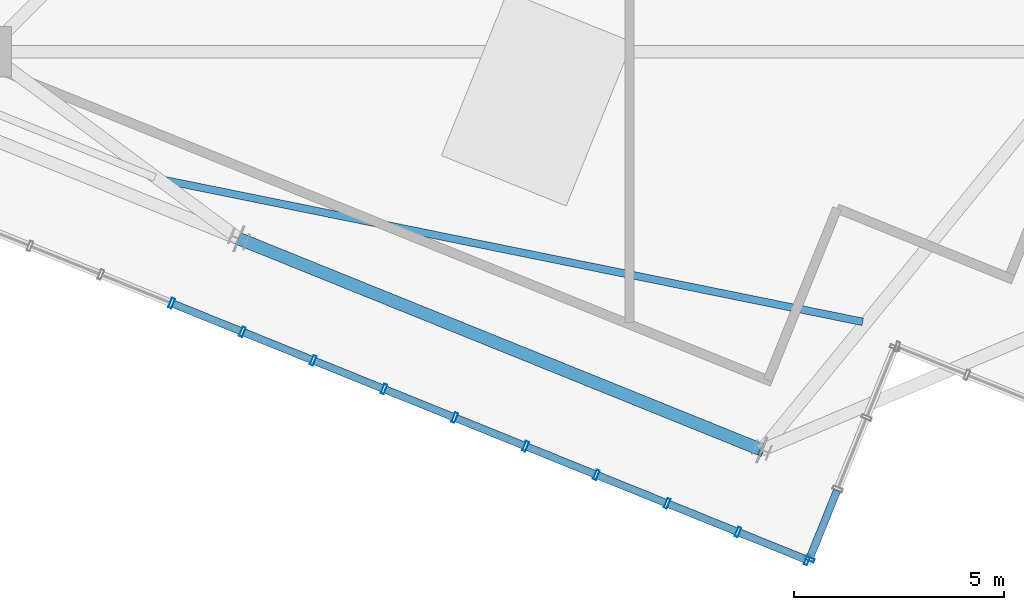
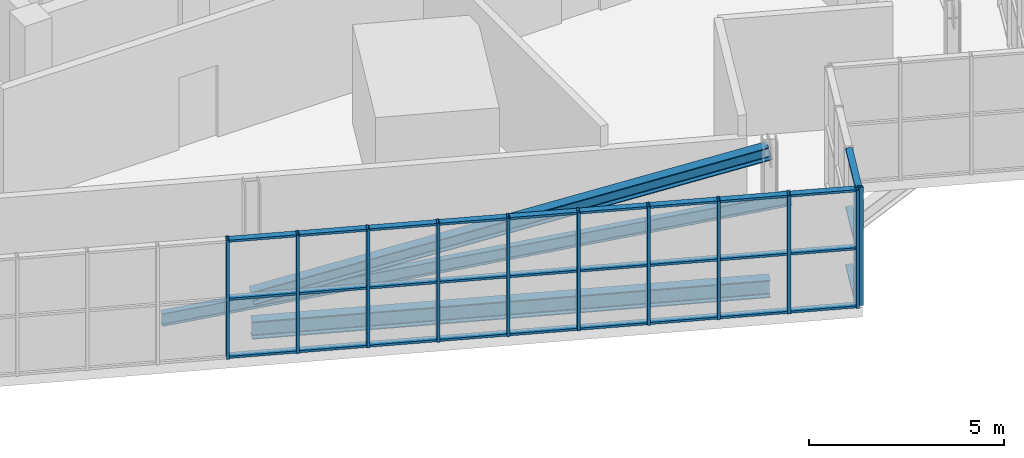
# One storey, part 4 of 26: 42 members, 2 beams, 2 elements without a shape of their own.
"""IFC4 building model written with IfcOpenShell, lengths in metres."""

import ifcopenshell
import ifcopenshell.guid

model = None  # the IFC model being written
_history = None  # IfcOwnerHistory: only IFC2X3 demands one
_inside = {}  # id of a spatial element -> (the spatial element, [elements in it])
_under = {}  # id of a project, library or spatial element -> (it, [spatial elements below it])
_declared = {}  # id of a project -> (the project, [libraries it declares])
_typed = {}  # id of a type object -> (the type object, [elements of that type])
_made_of = {}  # id of a material, layer set ... -> (it, [elements and type objects made of it])


def new_model(schema):
    """Start an empty IFC model of exactly this schema.

    Asked for "IFC4X3", IfcOpenShell would pick the latest addendum, in which some entities
    have other attributes; the version numbers below select the first issue.
    IFC2X3 requires an IfcOwnerHistory on every rooted entity: one is made here for all.
    """
    global model, _history
    if schema == "IFC4X3":
        model = ifcopenshell.file(schema_version=(4, 3, 0, 0))
    else:
        model = ifcopenshell.file(schema=schema)
    _inside.clear()
    _under.clear()
    _declared.clear()
    _typed.clear()
    _made_of.clear()
    _history = None
    if model.schema == "IFC2X3":
        org = make("IfcOrganization", Name="unknown")
        user = make(
            "IfcPersonAndOrganization",
            ThePerson=make("IfcPerson", FamilyName="unknown"),
            TheOrganization=org,
        )
        app = make(
            "IfcApplication",
            ApplicationDeveloper=org,
            Version="unknown",
            ApplicationFullName="unknown",
            ApplicationIdentifier="unknown",
        )
        _history = make(
            "IfcOwnerHistory",
            OwningUser=user,
            OwningApplication=app,
            ChangeAction="ADDED",
            CreationDate=0,
        )
    return model


def make(cls, **values):
    """One entity of the class cls with the attributes given. An attribute that is None is left unset."""
    return model.create_entity(
        cls, **{name: value for name, value in values.items() if value is not None}
    )


def rooted(cls, **values):
    """An entity with a GlobalId (a new one), such as an element, a storey or a relation."""
    return make(cls, GlobalId=ifcopenshell.guid.new(), OwnerHistory=_history, **values)


def si_unit(unit_type, name, prefix=None):
    """IfcSIUnit, for example si_unit("LENGTHUNIT", "METRE", prefix="MILLI")."""
    return make("IfcSIUnit", UnitType=unit_type, Prefix=prefix, Name=name)


def assignment(units):
    """IfcUnitAssignment: the units of a project."""
    return None if units is None else make("IfcUnitAssignment", Units=units)


def point(xyz):
    """IfcCartesianPoint."""
    return None if xyz is None else make("IfcCartesianPoint", Coordinates=xyz)


def direction(xyz):
    """IfcDirection."""
    return None if xyz is None else make("IfcDirection", DirectionRatios=xyz)


def frame(location, z_axis=None, x_axis=None):
    """IfcAxis2Placement3D, a coordinate frame: its origin and axes. An axis left out is left unset."""
    return make(
        "IfcAxis2Placement3D",
        Location=point(location),
        Axis=direction(z_axis),
        RefDirection=direction(x_axis),
    )


def frame_2d(location, x_axis=None):
    """IfcAxis2Placement2D, a coordinate frame in the plane: its origin and x axis."""
    return make(
        "IfcAxis2Placement2D", Location=point(location), RefDirection=direction(x_axis)
    )


def origin():
    """The frame at (0, 0, 0) with its axes left unset."""
    return frame((0.0, 0.0, 0.0))


def origin_2d():
    """The frame at (0, 0) in the plane with its x axis left unset."""
    return frame_2d((0.0, 0.0))


def place(relative_to, where):
    """IfcLocalPlacement: puts the frame where relative to a parent placement (None: the world)."""
    return make(
        "IfcLocalPlacement", PlacementRelTo=relative_to, RelativePlacement=where
    )


def context(
    kind, dimensions, precision=None, world=None, true_north=None, identifier=None
):
    """IfcGeometricRepresentationContext, for example the 3D "Model" context."""
    return make(
        "IfcGeometricRepresentationContext",
        ContextIdentifier=identifier,
        ContextType=kind,
        CoordinateSpaceDimension=dimensions,
        Precision=precision,
        WorldCoordinateSystem=world,
        TrueNorth=true_north,
    )


def subcontext(parent, identifier, kind, view, scale=None):
    """IfcGeometricRepresentationSubContext, for example "Body" below "Model"."""
    return make(
        "IfcGeometricRepresentationSubContext",
        ContextIdentifier=identifier,
        ContextType=kind,
        ParentContext=parent,
        TargetScale=scale,
        TargetView=view,
    )


def project(units=None, contexts=None):
    """IfcProject with its units and contexts."""
    return rooted(
        "IfcProject",
        Name="project",
        RepresentationContexts=contexts,
        UnitsInContext=assignment(units),
    )


def spatial(cls, under=None, at=None, **own):
    """A site, building, storey or space (cls), placed at a placement, below another one or the project."""
    s = rooted(cls, ObjectPlacement=at, **own)
    if under is not None:
        _under.setdefault(under.id(), (under, []))[1].append(s)
    return s


def profile(cls, at=None, kind="AREA", **sizes):
    """A parametric profile (cls). Its sizes go by their IFC names, for example OverallWidth=200.0."""
    return make(cls, ProfileType=kind, Position=at, **sizes)


def hollow_rectangle(**sizes):
    """IfcRectangleHollowProfileDef."""
    return profile("IfcRectangleHollowProfileDef", **sizes)


def i_section(**sizes):
    """IfcIShapeProfileDef."""
    return profile("IfcIShapeProfileDef", **sizes)


def extrude(swept, where, along, depth):
    """IfcExtrudedAreaSolid: the profile swept, set in the frame where, extruded along a direction by depth."""
    return make(
        "IfcExtrudedAreaSolid",
        SweptArea=swept,
        Position=where,
        ExtrudedDirection=direction(along),
        Depth=depth,
    )


def shape(context_of_items, identifier, shape_type, items):
    """IfcShapeRepresentation: the items that make up one representation, for example the "Body"."""
    return make(
        "IfcShapeRepresentation",
        ContextOfItems=context_of_items,
        RepresentationIdentifier=identifier,
        RepresentationType=shape_type,
        Items=items,
    )


def source(mapping_origin, context_of_items, identifier, shape_type, items):
    """IfcRepresentationMap: a shape defined once, which mapped items show again and again."""
    return make(
        "IfcRepresentationMap",
        MappingOrigin=mapping_origin,
        MappedRepresentation=shape(context_of_items, identifier, shape_type, items),
    )


def transform(
    local_origin,
    x_axis=None,
    y_axis=None,
    z_axis=None,
    scale=None,
    scale2=None,
    scale3=None,
    uniform=True,
):
    """IfcCartesianTransformationOperator3D, or its non-uniform kind. x_axis, y_axis, z_axis: its Axis1, 2, 3."""
    if uniform:
        return make(
            "IfcCartesianTransformationOperator3D",
            Axis1=direction(x_axis),
            Axis2=direction(y_axis),
            LocalOrigin=point(local_origin),
            Scale=scale,
            Axis3=direction(z_axis),
        )
    return make(
        "IfcCartesianTransformationOperator3DnonUniform",
        Axis1=direction(x_axis),
        Axis2=direction(y_axis),
        LocalOrigin=point(local_origin),
        Scale=scale,
        Axis3=direction(z_axis),
        Scale2=scale2,
        Scale3=scale3,
    )


def mapped(mapping_source, mapping_target):
    """IfcMappedItem: shows the shape of a source again, moved by a transform."""
    return make(
        "IfcMappedItem", MappingSource=mapping_source, MappingTarget=mapping_target
    )


def material(Name=None, Category=None):
    """IfcMaterial."""
    return make("IfcMaterial", Name=Name, Category=Category)


def layer(
    of_material, thickness, ventilated=None, Name=None, Category=None, Priority=None
):
    """IfcMaterialLayer: one layer of a wall or slab, of a material (None: an air gap)."""
    return make(
        "IfcMaterialLayer",
        Material=of_material,
        LayerThickness=thickness,
        IsVentilated=ventilated,
        Name=Name,
        Category=Category,
        Priority=Priority,
    )


def layer_set(layers, Name=None):
    """IfcMaterialLayerSet."""
    return make("IfcMaterialLayerSet", MaterialLayers=layers, LayerSetName=Name)


def material_profile(
    of_material, cross_section, Name=None, Category=None, Priority=None
):
    """IfcMaterialProfile: a cross section and its material."""
    return make(
        "IfcMaterialProfile",
        Name=Name,
        Material=of_material,
        Profile=cross_section,
        Priority=Priority,
        Category=Category,
    )


def profile_set(profiles, Name=None, composite=None):
    """IfcMaterialProfileSet."""
    return make(
        "IfcMaterialProfileSet",
        Name=Name,
        MaterialProfiles=profiles,
        CompositeProfile=composite,
    )


def made_of(thing, what):
    """Note that an element or type object is made of a material, layer set ...; save() writes the relation."""
    if what is not None:
        _made_of.setdefault(what.id(), (what, []))[1].append(thing)
    return thing


def type_object(cls, material=None, **own):
    """A type object (cls), such as IfcWallType, which elements share."""
    return made_of(rooted(cls, **own), material)


def element(
    cls,
    number,
    at=None,
    inside=None,
    cuts=None,
    type_object=None,
    material=None,
    context=None,
    identifier="Body",
    shape_type=None,
    held_by="IfcProductDefinitionShape",
    body=None,
    shapes=None,
    **own,
):
    """One element of the class cls, such as IfcWall. Its Tag is "e" and its number.

    at: its placement. inside: the storey or other place that contains it. cuts: it is an
    opening in that element (IfcRelVoidsElement). A single representation is given by context,
    identifier, shape_type and body (its items); several are given by shapes. held_by: the class
    of the entity that holds the representations. save() writes the other relations.
    """
    e = rooted(cls, Tag="e%d" % number, ObjectPlacement=at, **own)
    if body is not None:
        shapes = [shape(context, identifier, shape_type, body)]
    if shapes is not None:
        e.Representation = make(held_by, Representations=shapes)
    if inside is not None:
        _inside.setdefault(inside.id(), (inside, []))[1].append(e)
    if cuts is not None:
        rooted(
            "IfcRelVoidsElement", RelatingBuildingElement=cuts, RelatedOpeningElement=e
        )
    if type_object is not None:
        _typed.setdefault(type_object.id(), (type_object, []))[1].append(e)
    return made_of(e, material)


def aggregate(whole, parts):
    """IfcRelAggregates: a whole, such as a stair, and the parts it consists of."""
    return rooted("IfcRelAggregates", RelatingObject=whole, RelatedObjects=parts)


def save(model, path):
    """Write the relations noted so far, then the file.

    IfcRelAggregates (storeys below a building ...), IfcRelContainedInSpatialStructure (elements
    in a storey), IfcRelDefinesByType, IfcRelAssociatesMaterial and IfcRelDeclares: one each for
    every whole, place, type object, material and project.
    """
    for whole, parts in _under.values():
        aggregate(whole, parts)
    for where, things in _inside.values():
        rooted(
            "IfcRelContainedInSpatialStructure",
            RelatedElements=things,
            RelatingStructure=where,
        )
    for kind, things in _typed.values():
        rooted("IfcRelDefinesByType", RelatedObjects=things, RelatingType=kind)
    for what, things in _made_of.values():
        rooted("IfcRelAssociatesMaterial", RelatedObjects=things, RelatingMaterial=what)
    for by, libraries in _declared.values():
        rooted("IfcRelDeclares", RelatingContext=by, RelatedDefinitions=libraries)
    model.write(path)


model = new_model("IFC4")

# Units and contexts
model_context = context("Model", 3, precision=1e-05, world=origin(), true_north=direction((0.0, 1.0)))
body_context = subcontext(model_context, "Body", "Model", "MODEL_VIEW")
ifc_project = project(units=[si_unit("LENGTHUNIT", "METRE"), si_unit("AREAUNIT", "SQUARE_METRE"), si_unit("VOLUMEUNIT", "CUBIC_METRE"), si_unit("PLANEANGLEUNIT", "RADIAN"), si_unit("MASSUNIT", "GRAM", prefix="KILO"), si_unit("THERMODYNAMICTEMPERATUREUNIT", "KELVIN")], contexts=[model_context])

# Site, building, storey
site_placement = place(None, origin())
site = spatial("IfcSite", under=ifc_project, at=site_placement, CompositionType="ELEMENT")
building_placement = place(site_placement, origin())
building = spatial("IfcBuilding", under=site, at=building_placement, Name="Kosmvard Interchange Tower", CompositionType="ELEMENT")
storey_placement = place(building_placement, frame((0.0, 0.0, 333.60009765625)))
storey = spatial("IfcBuildingStorey", under=building, at=storey_placement, Name="L82", CompositionType="ELEMENT", Elevation=333.60009765625)

# Member
ifc_material_1 = material(Name="Steel S355", Category="steel")
ifc_material_profile_1 = material_profile(ifc_material_1, i_section(OverallWidth=0.300048828125, OverallDepth=0.39990234375, WebThickness=0.013427734375, FlangeThickness=0.02392578125, FilletRadius=0.027099609375, at=origin_2d()), Name="HEB 400")
ifc_profile_set_1 = profile_set([ifc_material_profile_1], Name="Steel S355")
member_type_1 = type_object("IfcMemberType", Name="Lantern Crown Diagrid Brace HEB 400 S355", PredefinedType="BRACE", material=ifc_profile_set_1)
shared_shape_1 = source(origin(), body_context, "Body", "SweptSolid", [
    extrude(i_section(OverallWidth=0.300048828125, OverallDepth=0.39990234375, WebThickness=0.013427734375, FlangeThickness=0.02392578125, FilletRadius=0.027099609375, at=origin_2d()), origin(), (0.0, 0.0, 1.0), 13.783935546875),
])
member_1_placement = place(storey_placement, frame((-7.080078125, -17.523681640625, 0.419921875), z_axis=(0.901367558742, -0.364177999122, 0.234330768366), x_axis=(0.374608243744, 0.927183187789, 0.0)))
element("IfcMember", 1, at=member_1_placement, inside=storey, type_object=member_type_1, Name="L82 Crown Lantern Diagrid Brace W2", PredefinedType="BRACE", context=body_context, shape_type="MappedRepresentation", body=[
    mapped(shared_shape_1, transform((0.0, 0.0, 0.0), scale=1.0)),
])

# Beams
ifc_material_profile_2 = material_profile(ifc_material_1, i_section(OverallWidth=0.300048828125, OverallDepth=0.550048828125, WebThickness=0.014892578125, FlangeThickness=0.029052734375, FilletRadius=0.027099609375, at=origin_2d()), Name="HEB 550")
ifc_profile_set_2 = profile_set([ifc_material_profile_2], Name="Steel S355")
beam_type_1 = type_object("IfcBeamType", Name="Crown Ring Cap Girder HEB 550 S355", PredefinedType="BEAM", material=ifc_profile_set_2)
shared_shape_2 = source(origin(), body_context, "Body", "SweptSolid", [
    extrude(i_section(OverallWidth=0.300048828125, OverallDepth=0.550048828125, WebThickness=0.014892578125, FlangeThickness=0.029052734375, FilletRadius=0.027099609375, at=origin_2d()), origin(), (0.0, 0.0, 1.0), 13.400146484375),
])
beam_1_placement = place(storey_placement, frame((-7.080078125, -17.523681640625, -0.5751953125), z_axis=(0.927183187789, -0.374608243744, 0.0), x_axis=(0.374608243744, 0.927183187789, 0.0)))
element("IfcBeam", 2, at=beam_1_placement, inside=storey, type_object=beam_type_1, Name="BM-L82-PR11", PredefinedType="BEAM", context=body_context, shape_type="MappedRepresentation", body=[
    mapped(shared_shape_2, transform((0.0, 0.0, 0.0), scale=1.0)),
])
ifc_material_profile_3 = material_profile(ifc_material_1, i_section(OverallWidth=0.179931640625, OverallDepth=0.39990234375, WebThickness=0.008544921875, FlangeThickness=0.013427734375, FilletRadius=0.02099609375, at=origin_2d()), Name="IPE 400")
ifc_profile_set_3 = profile_set([ifc_material_profile_3], Name="Steel S355")
beam_type_2 = type_object("IfcBeamType", Name="Upper-Zone Floor Joist IPE 400 S355", PredefinedType="JOIST", material=ifc_profile_set_3)
shared_shape_3 = source(origin(), body_context, "Body", "SweptSolid", [
    extrude(i_section(OverallWidth=0.179931640625, OverallDepth=0.39990234375, WebThickness=0.008544921875, FlangeThickness=0.013427734375, FilletRadius=0.02099609375, at=origin_2d()), origin(), (0.0, 0.0, 1.0), 17.0029296875),
])
beam_2_placement = place(storey_placement, frame((-8.921875, -16.117919921875, -0.5), z_axis=(0.98002341059, -0.198882162837, 0.0), x_axis=(0.198882162837, 0.98002341059, 0.0)))
element("IfcBeam", 3, at=beam_2_placement, inside=storey, type_object=beam_type_2, Name="BM-L82-FJ08", PredefinedType="JOIST", context=body_context, shape_type="MappedRepresentation", body=[
    mapped(shared_shape_3, transform((0.0, 0.0, 0.0), scale=1.0)),
])

# Curtain wall, members
ifc_material_2 = material(Name="Architectural anodised aluminium", Category="aluminium")
ifc_layer = layer(ifc_material_2, 0.25, Name="Architectural anodised aluminium")
ifc_layer_set = layer_set([ifc_layer], Name="Architectural anodised aluminium")
curtain_wall_type = type_object("IfcCurtainWallType", Name="CW-6 Illuminated Crown Lantern Curtain Wall", PredefinedType="NOTDEFINED", material=ifc_layer_set)
curtain_wall_1_placement = place(storey_placement, origin())
curtain_wall_1 = element("IfcCurtainWall", 4, at=curtain_wall_1_placement, inside=storey, type_object=curtain_wall_type, Name="L82 Crown Lantern Glazing Face 10", PredefinedType="NOTDEFINED")
ifc_material_profile_4 = material_profile(ifc_material_2, hollow_rectangle(XDim=0.239990234375, YDim=0.080078125, WallThickness=0.006103515625, at=origin_2d()), Name="CWM 240x80x6")
ifc_profile_set_4 = profile_set([ifc_material_profile_4], Name="Architectural anodised aluminium")
member_type_2 = type_object("IfcMemberType", Name="Lantern & Observation CW Mullion 240x80 Aluminium", PredefinedType="MULLION", material=ifc_profile_set_4)
shared_shape_4 = source(origin(), body_context, "Body", "SweptSolid", [
    extrude(hollow_rectangle(XDim=0.239990234375, YDim=0.080078125, WallThickness=0.006103515625, at=origin_2d()), origin(), (0.0, 0.0, 1.0), 3.699951171875),
])
member_2_placement = place(storey_placement, frame((-8.677734375, -19.056884765625, 0.0), z_axis=(0.0, 0.0, 1.0), x_axis=(0.374606584758, 0.927183858065, 0.0)))
member_2 = element("IfcMember", 5, at=member_2_placement, type_object=member_type_2, Name="CW-6 mullion 9", PredefinedType="MULLION", context=body_context, shape_type="MappedRepresentation", body=[
    mapped(shared_shape_4, transform((0.0, 0.0, 0.0), scale=1.0)),
])
member_3_placement = place(storey_placement, frame((-6.995849609375, -19.736572265625, 0.0), z_axis=(0.0, 0.0, 1.0), x_axis=(0.374606584758, 0.927183858065, 0.0)))
member_3 = element("IfcMember", 6, at=member_3_placement, type_object=member_type_2, Name="CW-6 mullion 10", PredefinedType="MULLION", context=body_context, shape_type="MappedRepresentation", body=[
    mapped(shared_shape_4, transform((0.0, 0.0, 0.0), scale=1.0)),
])
member_4_placement = place(storey_placement, frame((-5.313720703125, -20.416015625, 0.0), z_axis=(0.0, 0.0, 1.0), x_axis=(0.374606584758, 0.927183858065, 0.0)))
member_4 = element("IfcMember", 7, at=member_4_placement, type_object=member_type_2, Name="CW-6 mullion 11", PredefinedType="MULLION", context=body_context, shape_type="MappedRepresentation", body=[
    mapped(shared_shape_4, transform((0.0, 0.0, 0.0), scale=1.0)),
])
member_5_placement = place(storey_placement, frame((-3.6318359375, -21.095703125, 0.0), z_axis=(0.0, 0.0, 1.0), x_axis=(0.374606584758, 0.927183858065, 0.0)))
member_5 = element("IfcMember", 8, at=member_5_placement, type_object=member_type_2, Name="CW-6 mullion 12", PredefinedType="MULLION", context=body_context, shape_type="MappedRepresentation", body=[
    mapped(shared_shape_4, transform((0.0, 0.0, 0.0), scale=1.0)),
])
member_6_placement = place(storey_placement, frame((-1.94970703125, -21.775146484375, 0.0), z_axis=(0.0, 0.0, 1.0), x_axis=(0.374606584758, 0.927183858065, 0.0)))
member_6 = element("IfcMember", 9, at=member_6_placement, type_object=member_type_2, Name="CW-6 mullion 13", PredefinedType="MULLION", context=body_context, shape_type="MappedRepresentation", body=[
    mapped(shared_shape_4, transform((0.0, 0.0, 0.0), scale=1.0)),
])
member_7_placement = place(storey_placement, frame((-0.267578125, -22.454833984375, 0.0), z_axis=(0.0, 0.0, 1.0), x_axis=(0.374606584758, 0.927183858065, 0.0)))
member_7 = element("IfcMember", 10, at=member_7_placement, type_object=member_type_2, Name="CW-6 mullion 14", PredefinedType="MULLION", context=body_context, shape_type="MappedRepresentation", body=[
    mapped(shared_shape_4, transform((0.0, 0.0, 0.0), scale=1.0)),
])
member_8_placement = place(storey_placement, frame((1.414306640625, -23.13427734375, 0.0), z_axis=(0.0, 0.0, 1.0), x_axis=(0.374606584758, 0.927183858065, 0.0)))
member_8 = element("IfcMember", 11, at=member_8_placement, type_object=member_type_2, Name="CW-6 mullion 15", PredefinedType="MULLION", context=body_context, shape_type="MappedRepresentation", body=[
    mapped(shared_shape_4, transform((0.0, 0.0, 0.0), scale=1.0)),
])
member_9_placement = place(storey_placement, frame((3.096435546875, -23.81396484375, 0.0), z_axis=(0.0, 0.0, 1.0), x_axis=(0.374606584758, 0.927183858065, 0.0)))
member_9 = element("IfcMember", 12, at=member_9_placement, type_object=member_type_2, Name="CW-6 mullion 16", PredefinedType="MULLION", context=body_context, shape_type="MappedRepresentation", body=[
    mapped(shared_shape_4, transform((0.0, 0.0, 0.0), scale=1.0)),
])
member_10_placement = place(storey_placement, frame((4.7783203125, -24.49365234375, 0.0), z_axis=(0.0, 0.0, 1.0), x_axis=(0.374606584758, 0.927183858065, 0.0)))
member_10 = element("IfcMember", 13, at=member_10_placement, type_object=member_type_2, Name="CW-6 mullion 17", PredefinedType="MULLION", context=body_context, shape_type="MappedRepresentation", body=[
    mapped(shared_shape_4, transform((0.0, 0.0, 0.0), scale=1.0)),
])
member_11_placement = place(storey_placement, frame((6.42333984375, -25.158203125, 0.0), z_axis=(0.0, 0.0, 1.0), x_axis=(0.374606584758, 0.927183858065, 0.0)))
member_11 = element("IfcMember", 14, at=member_11_placement, type_object=member_type_2, Name="CW-6 mullion 18", PredefinedType="MULLION", context=body_context, shape_type="MappedRepresentation", body=[
    mapped(shared_shape_4, transform((0.0, 0.0, 0.0), scale=1.0)),
])

# Curtain wall, member
curtain_wall_2_placement = place(storey_placement, origin())
curtain_wall_2 = element("IfcCurtainWall", 15, at=curtain_wall_2_placement, inside=storey, type_object=curtain_wall_type, Name="L82 Crown Lantern Glazing Face 11", PredefinedType="NOTDEFINED")
member_12_placement = place(storey_placement, frame((6.475341796875, -25.135986328125, 0.0), z_axis=(0.0, 0.0, 1.0), x_axis=(-0.92718386612, 0.374606564822, 0.0)))
member_12 = element("IfcMember", 16, at=member_12_placement, type_object=member_type_2, Name="CW-6 mullion 1", PredefinedType="MULLION", context=body_context, shape_type="MappedRepresentation", body=[
    mapped(shared_shape_4, transform((0.0, 0.0, 0.0), scale=1.0)),
])

# Member
ifc_material_profile_5 = material_profile(ifc_material_2, hollow_rectangle(XDim=0.179931640625, YDim=0.070068359375, WallThickness=0.0048828125, at=origin_2d()), Name="CWT 180x70x5")
ifc_profile_set_5 = profile_set([ifc_material_profile_5], Name="Architectural anodised aluminium")
member_type_3 = type_object("IfcMemberType", Name="Heavy Lantern CW Transom 180x70 Aluminium", PredefinedType="USERDEFINED", material=ifc_profile_set_5)
shared_shape_5 = source(origin(), body_context, "Body", "SweptSolid", [
    extrude(hollow_rectangle(XDim=0.179931640625, YDim=0.070068359375, WallThickness=0.0048828125, at=origin_2d()), origin(), (0.0, 0.0, 1.0), 1.694091796875),
])
member_13_placement = place(storey_placement, frame((4.8154296875, -24.508544921875, 0.034912109375), z_axis=(0.927209116514, -0.374544061831, 0.0), x_axis=(0.374544061831, 0.927209116514, 0.0)))
member_13 = element("IfcMember", 17, at=member_13_placement, type_object=member_type_3, Name="CW-6 transom 17.1", ObjectType="TRANSOM", PredefinedType="USERDEFINED", context=body_context, shape_type="MappedRepresentation", body=[
    mapped(shared_shape_5, transform((0.0, 0.0, 0.0), scale=1.0)),
])

member_14_placement = place(storey_placement, frame((4.8154296875, -24.508544921875, 1.849853515625), z_axis=(0.927209116514, -0.374544061831, 0.0), x_axis=(0.374544061831, 0.927209116514, 0.0)))
member_14 = element("IfcMember", 18, at=member_14_placement, type_object=member_type_3, Name="CW-6 transom 17.2", ObjectType="TRANSOM", PredefinedType="USERDEFINED", context=body_context, shape_type="MappedRepresentation", body=[
    mapped(shared_shape_5, transform((0.0, 0.0, 0.0), scale=1.0)),
])

member_15_placement = place(storey_placement, frame((4.8154296875, -24.508544921875, 3.664794921875), z_axis=(0.927209116514, -0.374544061831, 0.0), x_axis=(0.374544061831, 0.927209116514, 0.0)))
member_15 = element("IfcMember", 19, at=member_15_placement, type_object=member_type_3, Name="CW-6 transom 17.3", ObjectType="TRANSOM", PredefinedType="USERDEFINED", context=body_context, shape_type="MappedRepresentation", body=[
    mapped(shared_shape_5, transform((0.0, 0.0, 0.0), scale=1.0)),
])

shared_shape_6 = source(origin(), body_context, "Body", "SweptSolid", [
    extrude(hollow_rectangle(XDim=0.179931640625, YDim=0.070068359375, WallThickness=0.0048828125, at=origin_2d()), origin(), (0.0, 0.0, 1.0), 1.734130859375),
])
member_16_placement = place(storey_placement, frame((-6.958740234375, -19.75146484375, 0.034912109375), z_axis=(0.927179782522, -0.374616671924, 0.0), x_axis=(0.374616671924, 0.927179782522, 0.0)))
member_16 = element("IfcMember", 20, at=member_16_placement, type_object=member_type_3, Name="CW-6 transom 10.1", ObjectType="TRANSOM", PredefinedType="USERDEFINED", context=body_context, shape_type="MappedRepresentation", body=[
    mapped(shared_shape_6, transform((0.0, 0.0, 0.0), scale=1.0)),
])

member_17_placement = place(storey_placement, frame((-6.958740234375, -19.75146484375, 1.849853515625), z_axis=(0.927179782522, -0.374616671924, 0.0), x_axis=(0.374616671924, 0.927179782522, 0.0)))
member_17 = element("IfcMember", 21, at=member_17_placement, type_object=member_type_3, Name="CW-6 transom 10.2", ObjectType="TRANSOM", PredefinedType="USERDEFINED", context=body_context, shape_type="MappedRepresentation", body=[
    mapped(shared_shape_6, transform((0.0, 0.0, 0.0), scale=1.0)),
])

member_18_placement = place(storey_placement, frame((-6.958740234375, -19.75146484375, 3.664794921875), z_axis=(0.927179782522, -0.374616671924, 0.0), x_axis=(0.374616671924, 0.927179782522, 0.0)))
member_18 = element("IfcMember", 22, at=member_18_placement, type_object=member_type_3, Name="CW-6 transom 10.3", ObjectType="TRANSOM", PredefinedType="USERDEFINED", context=body_context, shape_type="MappedRepresentation", body=[
    mapped(shared_shape_6, transform((0.0, 0.0, 0.0), scale=1.0)),
])

member_19_placement = place(storey_placement, frame((-5.276611328125, -20.43115234375, 0.034912109375), z_axis=(0.927228675447, -0.374495638732, 0.0), x_axis=(0.374495638732, 0.927228675447, 0.0)))
member_19 = element("IfcMember", 23, at=member_19_placement, type_object=member_type_3, Name="CW-6 transom 11.1", ObjectType="TRANSOM", PredefinedType="USERDEFINED", context=body_context, shape_type="MappedRepresentation", body=[
    mapped(shared_shape_6, transform((0.0, 0.0, 0.0), scale=1.0)),
])

member_20_placement = place(storey_placement, frame((-5.276611328125, -20.43115234375, 1.849853515625), z_axis=(0.927228675447, -0.374495638732, 0.0), x_axis=(0.374495638732, 0.927228675447, 0.0)))
member_20 = element("IfcMember", 24, at=member_20_placement, type_object=member_type_3, Name="CW-6 transom 11.2", ObjectType="TRANSOM", PredefinedType="USERDEFINED", context=body_context, shape_type="MappedRepresentation", body=[
    mapped(shared_shape_6, transform((0.0, 0.0, 0.0), scale=1.0)),
])

member_21_placement = place(storey_placement, frame((-5.276611328125, -20.43115234375, 3.664794921875), z_axis=(0.927228675447, -0.374495638732, 0.0), x_axis=(0.374495638732, 0.927228675447, 0.0)))
member_21 = element("IfcMember", 25, at=member_21_placement, type_object=member_type_3, Name="CW-6 transom 11.3", ObjectType="TRANSOM", PredefinedType="USERDEFINED", context=body_context, shape_type="MappedRepresentation", body=[
    mapped(shared_shape_6, transform((0.0, 0.0, 0.0), scale=1.0)),
])

member_22_placement = place(storey_placement, frame((-3.5947265625, -21.110595703125, 0.034912109375), z_axis=(0.927179782522, -0.374616671924, 0.0), x_axis=(0.374616671924, 0.927179782522, 0.0)))
member_22 = element("IfcMember", 26, at=member_22_placement, type_object=member_type_3, Name="CW-6 transom 12.1", ObjectType="TRANSOM", PredefinedType="USERDEFINED", context=body_context, shape_type="MappedRepresentation", body=[
    mapped(shared_shape_6, transform((0.0, 0.0, 0.0), scale=1.0)),
])

member_23_placement = place(storey_placement, frame((-3.5947265625, -21.110595703125, 1.849853515625), z_axis=(0.927179782522, -0.374616671924, 0.0), x_axis=(0.374616671924, 0.927179782522, 0.0)))
member_23 = element("IfcMember", 27, at=member_23_placement, type_object=member_type_3, Name="CW-6 transom 12.2", ObjectType="TRANSOM", PredefinedType="USERDEFINED", context=body_context, shape_type="MappedRepresentation", body=[
    mapped(shared_shape_6, transform((0.0, 0.0, 0.0), scale=1.0)),
])

member_24_placement = place(storey_placement, frame((-3.5947265625, -21.110595703125, 3.664794921875), z_axis=(0.927179782522, -0.374616671924, 0.0), x_axis=(0.374616671924, 0.927179782522, 0.0)))
member_24 = element("IfcMember", 28, at=member_24_placement, type_object=member_type_3, Name="CW-6 transom 12.3", ObjectType="TRANSOM", PredefinedType="USERDEFINED", context=body_context, shape_type="MappedRepresentation", body=[
    mapped(shared_shape_6, transform((0.0, 0.0, 0.0), scale=1.0)),
])

member_25_placement = place(storey_placement, frame((-1.91259765625, -21.790283203125, 0.034912109375), z_axis=(0.927228675447, -0.374495638732, 0.0), x_axis=(0.374495638732, 0.927228675447, 0.0)))
member_25 = element("IfcMember", 29, at=member_25_placement, type_object=member_type_3, Name="CW-6 transom 13.1", ObjectType="TRANSOM", PredefinedType="USERDEFINED", context=body_context, shape_type="MappedRepresentation", body=[
    mapped(shared_shape_6, transform((0.0, 0.0, 0.0), scale=1.0)),
])

member_26_placement = place(storey_placement, frame((-1.91259765625, -21.790283203125, 1.849853515625), z_axis=(0.927228675447, -0.374495638732, 0.0), x_axis=(0.374495638732, 0.927228675447, 0.0)))
member_26 = element("IfcMember", 30, at=member_26_placement, type_object=member_type_3, Name="CW-6 transom 13.2", ObjectType="TRANSOM", PredefinedType="USERDEFINED", context=body_context, shape_type="MappedRepresentation", body=[
    mapped(shared_shape_6, transform((0.0, 0.0, 0.0), scale=1.0)),
])

member_27_placement = place(storey_placement, frame((-1.91259765625, -21.790283203125, 3.664794921875), z_axis=(0.927228675447, -0.374495638732, 0.0), x_axis=(0.374495638732, 0.927228675447, 0.0)))
member_27 = element("IfcMember", 31, at=member_27_placement, type_object=member_type_3, Name="CW-6 transom 13.3", ObjectType="TRANSOM", PredefinedType="USERDEFINED", context=body_context, shape_type="MappedRepresentation", body=[
    mapped(shared_shape_6, transform((0.0, 0.0, 0.0), scale=1.0)),
])

member_28_placement = place(storey_placement, frame((1.451416015625, -23.1494140625, 0.034912109375), z_axis=(0.927179782522, -0.374616671924, 0.0), x_axis=(0.374616671924, 0.927179782522, 0.0)))
member_28 = element("IfcMember", 32, at=member_28_placement, type_object=member_type_3, Name="CW-6 transom 15.1", ObjectType="TRANSOM", PredefinedType="USERDEFINED", context=body_context, shape_type="MappedRepresentation", body=[
    mapped(shared_shape_6, transform((0.0, 0.0, 0.0), scale=1.0)),
])

member_29_placement = place(storey_placement, frame((1.451416015625, -23.1494140625, 1.849853515625), z_axis=(0.927179782522, -0.374616671924, 0.0), x_axis=(0.374616671924, 0.927179782522, 0.0)))
member_29 = element("IfcMember", 33, at=member_29_placement, type_object=member_type_3, Name="CW-6 transom 15.2", ObjectType="TRANSOM", PredefinedType="USERDEFINED", context=body_context, shape_type="MappedRepresentation", body=[
    mapped(shared_shape_6, transform((0.0, 0.0, 0.0), scale=1.0)),
])

member_30_placement = place(storey_placement, frame((1.451416015625, -23.1494140625, 3.664794921875), z_axis=(0.927179782522, -0.374616671924, 0.0), x_axis=(0.374616671924, 0.927179782522, 0.0)))
member_30 = element("IfcMember", 34, at=member_30_placement, type_object=member_type_3, Name="CW-6 transom 15.3", ObjectType="TRANSOM", PredefinedType="USERDEFINED", context=body_context, shape_type="MappedRepresentation", body=[
    mapped(shared_shape_6, transform((0.0, 0.0, 0.0), scale=1.0)),
])

shared_shape_7 = source(origin(), body_context, "Body", "SweptSolid", [
    extrude(hollow_rectangle(XDim=0.179931640625, YDim=0.070068359375, WallThickness=0.0048828125, at=origin_2d()), origin(), (0.0, 0.0, 1.0), 1.73388671875),
])
member_31_placement = place(storey_placement, frame((-8.640625, -19.07177734375, 0.034912109375), z_axis=(0.927160021861, -0.374665576032, 0.0), x_axis=(0.374665576032, 0.927160021861, 0.0)))
member_31 = element("IfcMember", 35, at=member_31_placement, type_object=member_type_3, Name="CW-6 transom 9.1", ObjectType="TRANSOM", PredefinedType="USERDEFINED", context=body_context, shape_type="MappedRepresentation", body=[
    mapped(shared_shape_7, transform((0.0, 0.0, 0.0), scale=1.0)),
])

member_32_placement = place(storey_placement, frame((-8.640625, -19.07177734375, 1.849853515625), z_axis=(0.927160021861, -0.374665576032, 0.0), x_axis=(0.374665576032, 0.927160021861, 0.0)))
member_32 = element("IfcMember", 36, at=member_32_placement, type_object=member_type_3, Name="CW-6 transom 9.2", ObjectType="TRANSOM", PredefinedType="USERDEFINED", context=body_context, shape_type="MappedRepresentation", body=[
    mapped(shared_shape_7, transform((0.0, 0.0, 0.0), scale=1.0)),
])

member_33_placement = place(storey_placement, frame((-8.640625, -19.07177734375, 3.664794921875), z_axis=(0.927160021861, -0.374665576032, 0.0), x_axis=(0.374665576032, 0.927160021861, 0.0)))
member_33 = element("IfcMember", 37, at=member_33_placement, type_object=member_type_3, Name="CW-6 transom 9.3", ObjectType="TRANSOM", PredefinedType="USERDEFINED", context=body_context, shape_type="MappedRepresentation", body=[
    mapped(shared_shape_7, transform((0.0, 0.0, 0.0), scale=1.0)),
])

member_34_placement = place(storey_placement, frame((-0.23046875, -22.4697265625, 0.034912109375), z_axis=(0.927160021861, -0.374665576032, 0.0), x_axis=(0.374665576032, 0.927160021861, 0.0)))
member_34 = element("IfcMember", 38, at=member_34_placement, type_object=member_type_3, Name="CW-6 transom 14.1", ObjectType="TRANSOM", PredefinedType="USERDEFINED", context=body_context, shape_type="MappedRepresentation", body=[
    mapped(shared_shape_7, transform((0.0, 0.0, 0.0), scale=1.0)),
])

member_35_placement = place(storey_placement, frame((-0.23046875, -22.4697265625, 1.849853515625), z_axis=(0.927160021861, -0.374665576032, 0.0), x_axis=(0.374665576032, 0.927160021861, 0.0)))
member_35 = element("IfcMember", 39, at=member_35_placement, type_object=member_type_3, Name="CW-6 transom 14.2", ObjectType="TRANSOM", PredefinedType="USERDEFINED", context=body_context, shape_type="MappedRepresentation", body=[
    mapped(shared_shape_7, transform((0.0, 0.0, 0.0), scale=1.0)),
])

member_36_placement = place(storey_placement, frame((-0.23046875, -22.4697265625, 3.664794921875), z_axis=(0.927160021861, -0.374665576032, 0.0), x_axis=(0.374665576032, 0.927160021861, 0.0)))
member_36 = element("IfcMember", 40, at=member_36_placement, type_object=member_type_3, Name="CW-6 transom 14.3", ObjectType="TRANSOM", PredefinedType="USERDEFINED", context=body_context, shape_type="MappedRepresentation", body=[
    mapped(shared_shape_7, transform((0.0, 0.0, 0.0), scale=1.0)),
])

member_37_placement = place(storey_placement, frame((3.133544921875, -23.828857421875, 0.034912109375), z_axis=(0.927160021861, -0.374665576032, 0.0), x_axis=(0.374665576032, 0.927160021861, 0.0)))
member_37 = element("IfcMember", 41, at=member_37_placement, type_object=member_type_3, Name="CW-6 transom 16.1", ObjectType="TRANSOM", PredefinedType="USERDEFINED", context=body_context, shape_type="MappedRepresentation", body=[
    mapped(shared_shape_7, transform((0.0, 0.0, 0.0), scale=1.0)),
])

member_38_placement = place(storey_placement, frame((3.133544921875, -23.828857421875, 1.849853515625), z_axis=(0.927160021861, -0.374665576032, 0.0), x_axis=(0.374665576032, 0.927160021861, 0.0)))
member_38 = element("IfcMember", 42, at=member_38_placement, type_object=member_type_3, Name="CW-6 transom 16.2", ObjectType="TRANSOM", PredefinedType="USERDEFINED", context=body_context, shape_type="MappedRepresentation", body=[
    mapped(shared_shape_7, transform((0.0, 0.0, 0.0), scale=1.0)),
])

member_39_placement = place(storey_placement, frame((3.133544921875, -23.828857421875, 3.664794921875), z_axis=(0.927160021861, -0.374665576032, 0.0), x_axis=(0.374665576032, 0.927160021861, 0.0)))
member_39 = element("IfcMember", 43, at=member_39_placement, type_object=member_type_3, Name="CW-6 transom 16.3", ObjectType="TRANSOM", PredefinedType="USERDEFINED", context=body_context, shape_type="MappedRepresentation", body=[
    mapped(shared_shape_7, transform((0.0, 0.0, 0.0), scale=1.0)),
])

aggregate(curtain_wall_1, [member_2, member_3, member_4, member_5, member_6, member_7, member_8, member_9, member_10, member_11, member_31, member_32, member_33, member_16, member_17, member_18, member_19, member_20, member_21, member_22, member_23, member_24, member_25, member_26, member_27, member_34, member_35, member_36, member_28, member_29, member_30, member_37, member_38, member_39, member_13, member_14, member_15])

shared_shape_8 = source(origin(), body_context, "Body", "SweptSolid", [
    extrude(hollow_rectangle(XDim=0.179931640625, YDim=0.070068359375, WallThickness=0.0048828125, at=origin_2d()), origin(), (0.0, 0.0, 1.0), 1.71337890625),
])
member_40_placement = place(storey_placement, frame((6.490478515625, -25.098876953125, 0.034912109375), z_axis=(0.374484254265, 0.927233273404, 0.0), x_axis=(-0.927233273404, 0.374484254265, 0.0)))
member_40 = element("IfcMember", 44, at=member_40_placement, type_object=member_type_3, Name="CW-6 transom 1.1", ObjectType="TRANSOM", PredefinedType="USERDEFINED", context=body_context, shape_type="MappedRepresentation", body=[
    mapped(shared_shape_8, transform((0.0, 0.0, 0.0), scale=1.0)),
])

member_41_placement = place(storey_placement, frame((6.490478515625, -25.098876953125, 1.849853515625), z_axis=(0.374484254265, 0.927233273404, 0.0), x_axis=(-0.927233273404, 0.374484254265, 0.0)))
member_41 = element("IfcMember", 45, at=member_41_placement, type_object=member_type_3, Name="CW-6 transom 1.2", ObjectType="TRANSOM", PredefinedType="USERDEFINED", context=body_context, shape_type="MappedRepresentation", body=[
    mapped(shared_shape_8, transform((0.0, 0.0, 0.0), scale=1.0)),
])

member_42_placement = place(storey_placement, frame((6.490478515625, -25.098876953125, 3.664794921875), z_axis=(0.374484254265, 0.927233273404, 0.0), x_axis=(-0.927233273404, 0.374484254265, 0.0)))
member_42 = element("IfcMember", 46, at=member_42_placement, type_object=member_type_3, Name="CW-6 transom 1.3", ObjectType="TRANSOM", PredefinedType="USERDEFINED", context=body_context, shape_type="MappedRepresentation", body=[
    mapped(shared_shape_8, transform((0.0, 0.0, 0.0), scale=1.0)),
])

aggregate(curtain_wall_2, [member_12, member_40, member_41, member_42])

save(model, "model.ifc")
